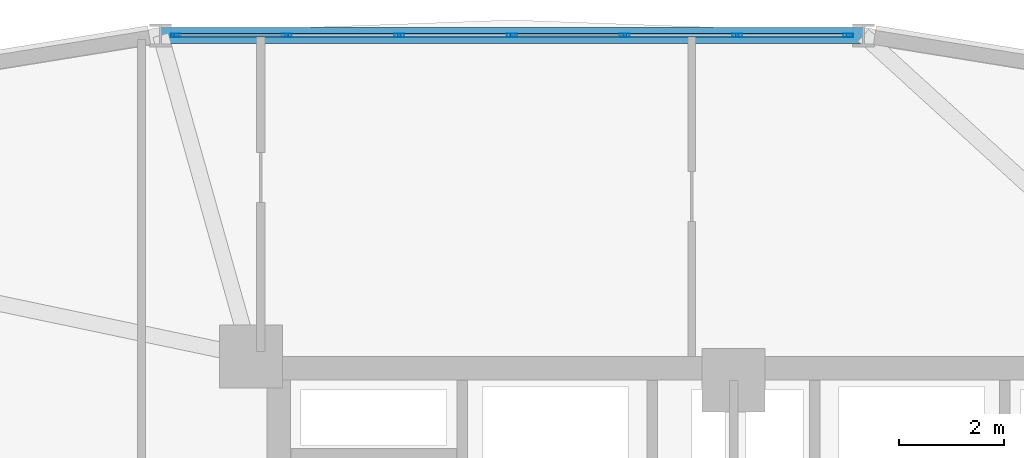
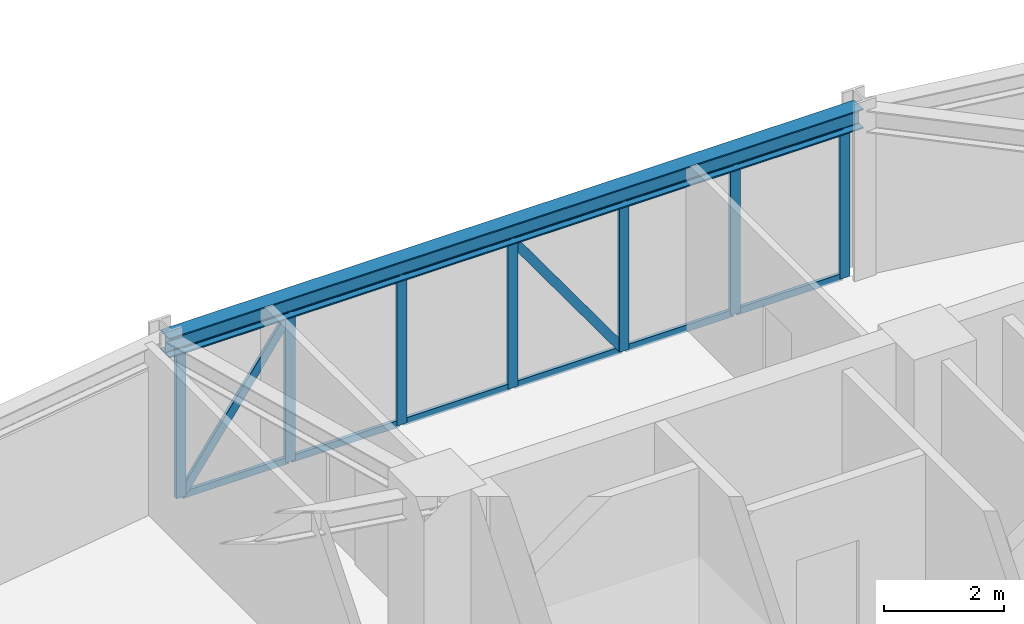
# One storey, part 10 of 18: 21 members, 1 beam, 1 element without a shape of its own.
"""IFC4 building model written with IfcOpenShell, lengths in metres."""

from ifc_helpers import new_model, si_unit, derived_unit, direction, frame, origin, origin_2d, place, context, subcontext, project, spatial, hollow_rectangle, i_section, extrude, source, transform, mapped, material, layer, layer_set, material_profile, profile_set, type_object, element, aggregate, save


model = new_model("IFC4")

# Units and contexts
model_context = context("Model", 3, precision=1e-05, world=origin(), true_north=direction((0.0, 1.0)))
body_context = subcontext(model_context, "Body", "Model", "MODEL_VIEW")
ifc_project = project(units=[si_unit("LENGTHUNIT", "METRE"), si_unit("AREAUNIT", "SQUARE_METRE"), si_unit("VOLUMEUNIT", "CUBIC_METRE"), si_unit("PLANEANGLEUNIT", "RADIAN"), si_unit("MASSUNIT", "GRAM", prefix="KILO"), derived_unit("THERMALTRANSMITTANCEUNIT", [(si_unit("POWERUNIT", "WATT"), 1), (si_unit("LENGTHUNIT", "METRE"), -2), (si_unit("THERMODYNAMICTEMPERATUREUNIT", "KELVIN"), -1)])], contexts=[model_context])

# Site, building, storey
site_placement = place(None, origin())
site = spatial("IfcSite", under=ifc_project, at=site_placement, CompositionType="ELEMENT")
building_placement = place(site_placement, origin())
building = spatial("IfcBuilding", under=site, at=building_placement, Name="Korsvarv Bourse and Concert Hall", CompositionType="ELEMENT")
storey_placement = place(building_placement, frame((0.0, 0.0, 139.800048828125)))
storey = spatial("IfcBuildingStorey", under=building, at=storey_placement, Name="L35", CompositionType="ELEMENT", Elevation=139.800048828125)

# Beam
ifc_material_1 = material(Name="Steel S355", Category="steel")
ifc_material_profile_1 = material_profile(ifc_material_1, i_section(OverallWidth=0.300048828125, OverallDepth=0.39990234375, WebThickness=0.013427734375, FlangeThickness=0.02392578125, FilletRadius=0.02099609375, at=origin_2d()), Name="HEB 400")
ifc_profile_set_1 = profile_set([ifc_material_profile_1], Name="Steel S355")
beam_type = type_object("IfcBeamType", Name="BM-HEB400", PredefinedType="SPANDREL", material=ifc_profile_set_1)
shared_shape_1 = source(origin(), body_context, "Body", "SweptSolid", [
    extrude(i_section(OverallWidth=0.300048828125, OverallDepth=0.39990234375, WebThickness=0.013427734375, FlangeThickness=0.02392578125, FilletRadius=0.02099609375, at=origin_2d()), origin(), (0.0, 0.0, 1.0), 13.327392578125),
])
beam_placement = place(storey_placement, frame((38.463623046875, 53.3369140625, 3.199951171875), z_axis=(-1.0, 0.0, 0.0), x_axis=(0.0, -1.0, 0.0)))
element("IfcBeam", 1, at=beam_placement, inside=storey, type_object=beam_type, Name="L35 beam B-09", PredefinedType="SPANDREL", context=body_context, shape_type="MappedRepresentation", body=[
    mapped(shared_shape_1, transform((0.0, 0.0, 0.0), scale=1.0)),
])

# Curtain wall, members
ifc_material_2 = material(Name="Anodised aluminium and triple low-E glazing", Category="glass")
ifc_layer = layer(ifc_material_2, 0.2099609375)
ifc_layer_set = layer_set([ifc_layer], Name="Anodised aluminium and triple low-E glazing")
curtain_wall_type = type_object("IfcCurtainWallType", Name="CW-SYS-2", PredefinedType="NOTDEFINED", material=ifc_layer_set)
curtain_wall_placement = place(storey_placement, origin())
curtain_wall = element("IfcCurtainWall", 2, at=curtain_wall_placement, inside=storey, type_object=curtain_wall_type, Name="L35 CW2 curtain wall CW-L35-F03", PredefinedType="NOTDEFINED")
ifc_material_3 = material(Name="Extruded aluminium EN AW-6063 T66", Category="aluminium")
ifc_material_profile_2 = material_profile(ifc_material_3, hollow_rectangle(XDim=0.070068359375, YDim=0.18994140625, WallThickness=0.0048828125, at=origin_2d()), Name="ALU-M 70x190")
ifc_profile_set_2 = profile_set([ifc_material_profile_2], Name="Extruded aluminium EN AW-6063 T66")
member_type_1 = type_object("IfcMemberType", Name="CWM-190", PredefinedType="MULLION", material=ifc_profile_set_2)
shared_shape_2 = source(origin(), body_context, "Body", "SweptSolid", [
    extrude(hollow_rectangle(XDim=0.070068359375, YDim=0.18994140625, WallThickness=0.0048828125, at=origin_2d()), origin(), (0.0, 0.0, 1.0), 3.0),
])
member_1_placement = place(storey_placement, frame((38.172607421875, 53.3369140625, 0.0), z_axis=(0.0, 0.0, 1.0), x_axis=(0.0, -1.0, 0.0)))
member_1 = element("IfcMember", 3, at=member_1_placement, type_object=member_type_1, Name="CW2 mullion 1", PredefinedType="MULLION", context=body_context, shape_type="MappedRepresentation", body=[
    mapped(shared_shape_2, transform((0.0, 0.0, 0.0), scale=1.0)),
])
member_2_placement = place(storey_placement, frame((36.07177734375, 53.3369140625, 0.0), z_axis=(0.0, 0.0, 1.0), x_axis=(0.0, -1.0, 0.0)))
member_2 = element("IfcMember", 4, at=member_2_placement, type_object=member_type_1, Name="CW2 mullion 2", PredefinedType="MULLION", context=body_context, shape_type="MappedRepresentation", body=[
    mapped(shared_shape_2, transform((0.0, 0.0, 0.0), scale=1.0)),
])
member_3_placement = place(storey_placement, frame((33.935791015625, 53.3369140625, 0.0), z_axis=(0.0, 0.0, 1.0), x_axis=(0.0, -1.0, 0.0)))
member_3 = element("IfcMember", 5, at=member_3_placement, type_object=member_type_1, Name="CW2 mullion 3", PredefinedType="MULLION", context=body_context, shape_type="MappedRepresentation", body=[
    mapped(shared_shape_2, transform((0.0, 0.0, 0.0), scale=1.0)),
])
member_4_placement = place(storey_placement, frame((31.800048828125, 53.3369140625, 0.0), z_axis=(0.0, 0.0, 1.0), x_axis=(0.0, -1.0, 0.0)))
member_4 = element("IfcMember", 6, at=member_4_placement, type_object=member_type_1, Name="CW2 mullion 4", PredefinedType="MULLION", context=body_context, shape_type="MappedRepresentation", body=[
    mapped(shared_shape_2, transform((0.0, 0.0, 0.0), scale=1.0)),
])
member_5_placement = place(storey_placement, frame((29.6640625, 53.3369140625, 0.0), z_axis=(0.0, 0.0, 1.0), x_axis=(0.0, -1.0, 0.0)))
member_5 = element("IfcMember", 7, at=member_5_placement, type_object=member_type_1, Name="CW2 mullion 5", PredefinedType="MULLION", context=body_context, shape_type="MappedRepresentation", body=[
    mapped(shared_shape_2, transform((0.0, 0.0, 0.0), scale=1.0)),
])
member_6_placement = place(storey_placement, frame((27.5283203125, 53.3369140625, 0.0), z_axis=(0.0, 0.0, 1.0), x_axis=(0.0, -1.0, 0.0)))
member_6 = element("IfcMember", 8, at=member_6_placement, type_object=member_type_1, Name="CW2 mullion 6", PredefinedType="MULLION", context=body_context, shape_type="MappedRepresentation", body=[
    mapped(shared_shape_2, transform((0.0, 0.0, 0.0), scale=1.0)),
])
member_7_placement = place(storey_placement, frame((25.42724609375, 53.3369140625, 0.0), z_axis=(0.0, 0.0, 1.0), x_axis=(0.0, -1.0, 0.0)))
member_7 = element("IfcMember", 9, at=member_7_placement, type_object=member_type_1, Name="CW2 mullion 7", PredefinedType="MULLION", context=body_context, shape_type="MappedRepresentation", body=[
    mapped(shared_shape_2, transform((0.0, 0.0, 0.0), scale=1.0)),
])
ifc_material_profile_3 = material_profile(ifc_material_3, hollow_rectangle(XDim=0.06494140625, YDim=0.139892578125, WallThickness=0.00390625, at=origin_2d()), Name="ALU-T 65x140")
ifc_profile_set_3 = profile_set([ifc_material_profile_3], Name="Extruded aluminium EN AW-6063 T66")
member_type_2 = type_object("IfcMemberType", Name="CWT-140", PredefinedType="USERDEFINED", material=ifc_profile_set_3)
shared_shape_3 = source(origin(), body_context, "Body", "SweptSolid", [
    extrude(hollow_rectangle(XDim=0.06494140625, YDim=0.139892578125, WallThickness=0.00390625, at=origin_2d()), origin(), (0.0, 0.0, 1.0), 2.031005859375),
])
member_8_placement = place(storey_placement, frame((38.1376953125, 53.3369140625, 0.032470703125), z_axis=(-1.0, 0.0, 0.0), x_axis=(0.0, -1.0, 0.0)))
member_8 = element("IfcMember", 10, at=member_8_placement, type_object=member_type_2, Name="CW2 transom 1.1", ObjectType="TRANSOM", PredefinedType="USERDEFINED", context=body_context, shape_type="MappedRepresentation", body=[
    mapped(shared_shape_3, transform((0.0, 0.0, 0.0), scale=1.0)),
])
member_9_placement = place(storey_placement, frame((38.1376953125, 53.3369140625, 2.967529296875), z_axis=(-1.0, 0.0, 0.0), x_axis=(0.0, -1.0, 0.0)))
member_9 = element("IfcMember", 11, at=member_9_placement, type_object=member_type_2, Name="CW2 transom 1.2", ObjectType="TRANSOM", PredefinedType="USERDEFINED", context=body_context, shape_type="MappedRepresentation", body=[
    mapped(shared_shape_3, transform((0.0, 0.0, 0.0), scale=1.0)),
])
shared_shape_4 = source(origin(), body_context, "Body", "SweptSolid", [
    extrude(hollow_rectangle(XDim=0.06494140625, YDim=0.139892578125, WallThickness=0.00390625, at=origin_2d()), origin(), (0.0, 0.0, 1.0), 2.06591796875),
])
member_10_placement = place(storey_placement, frame((36.036865234375, 53.3369140625, 0.032470703125), z_axis=(-1.0, 0.0, 0.0), x_axis=(0.0, -1.0, 0.0)))
member_10 = element("IfcMember", 12, at=member_10_placement, type_object=member_type_2, Name="CW2 transom 2.1", ObjectType="TRANSOM", PredefinedType="USERDEFINED", context=body_context, shape_type="MappedRepresentation", body=[
    mapped(shared_shape_4, transform((0.0, 0.0, 0.0), scale=1.0)),
])
member_11_placement = place(storey_placement, frame((36.036865234375, 53.3369140625, 2.967529296875), z_axis=(-1.0, 0.0, 0.0), x_axis=(0.0, -1.0, 0.0)))
member_11 = element("IfcMember", 13, at=member_11_placement, type_object=member_type_2, Name="CW2 transom 2.2", ObjectType="TRANSOM", PredefinedType="USERDEFINED", context=body_context, shape_type="MappedRepresentation", body=[
    mapped(shared_shape_4, transform((0.0, 0.0, 0.0), scale=1.0)),
])
member_12_placement = place(storey_placement, frame((33.90087890625, 53.3369140625, 0.032470703125), z_axis=(-1.0, 0.0, 0.0), x_axis=(0.0, -1.0, 0.0)))
member_12 = element("IfcMember", 14, at=member_12_placement, type_object=member_type_2, Name="CW2 transom 3.1", ObjectType="TRANSOM", PredefinedType="USERDEFINED", context=body_context, shape_type="MappedRepresentation", body=[
    mapped(shared_shape_4, transform((0.0, 0.0, 0.0), scale=1.0)),
])
member_13_placement = place(storey_placement, frame((33.90087890625, 53.3369140625, 2.967529296875), z_axis=(-1.0, 0.0, 0.0), x_axis=(0.0, -1.0, 0.0)))
member_13 = element("IfcMember", 15, at=member_13_placement, type_object=member_type_2, Name="CW2 transom 3.2", ObjectType="TRANSOM", PredefinedType="USERDEFINED", context=body_context, shape_type="MappedRepresentation", body=[
    mapped(shared_shape_4, transform((0.0, 0.0, 0.0), scale=1.0)),
])
member_14_placement = place(storey_placement, frame((29.629150390625, 53.3369140625, 0.032470703125), z_axis=(-1.0, 0.0, 0.0), x_axis=(0.0, -1.0, 0.0)))
member_14 = element("IfcMember", 16, at=member_14_placement, type_object=member_type_2, Name="CW2 transom 5.1", ObjectType="TRANSOM", PredefinedType="USERDEFINED", context=body_context, shape_type="MappedRepresentation", body=[
    mapped(shared_shape_4, transform((0.0, 0.0, 0.0), scale=1.0)),
])
member_15_placement = place(storey_placement, frame((29.629150390625, 53.3369140625, 2.967529296875), z_axis=(-1.0, 0.0, 0.0), x_axis=(0.0, -1.0, 0.0)))
member_15 = element("IfcMember", 17, at=member_15_placement, type_object=member_type_2, Name="CW2 transom 5.2", ObjectType="TRANSOM", PredefinedType="USERDEFINED", context=body_context, shape_type="MappedRepresentation", body=[
    mapped(shared_shape_4, transform((0.0, 0.0, 0.0), scale=1.0)),
])
ifc_material_profile_4 = material_profile(ifc_material_3, hollow_rectangle(XDim=0.06494140625, YDim=0.1650390625, WallThickness=0.0048828125, at=origin_2d()), Name="ALU-M 65x165")
ifc_profile_set_4 = profile_set([ifc_material_profile_4], Name="Extruded aluminium EN AW-6063 T66")
member_type_3 = type_object("IfcMemberType", Name="CWM-165", PredefinedType="MULLION", material=ifc_profile_set_4)
shared_shape_5 = source(origin(), body_context, "Body", "SweptSolid", [
    extrude(hollow_rectangle(XDim=0.06494140625, YDim=0.1650390625, WallThickness=0.0048828125, at=origin_2d()), origin(), (0.0, 0.0, 1.0), 3.536376953125),
])
member_16_placement = place(storey_placement, frame((33.90087890625, 53.3369140625, 0.06494140625), z_axis=(-0.584199236141, 0.0, 0.811610283629), x_axis=(0.0, -1.0, 0.0)))
member_16 = element("IfcMember", 18, at=member_16_placement, type_object=member_type_3, Name="CW2 diagonal mullion 3", PredefinedType="MULLION", context=body_context, shape_type="MappedRepresentation", body=[
    mapped(shared_shape_5, transform((0.0, 0.0, 0.0), scale=1.0)),
])
shared_shape_6 = source(origin(), body_context, "Body", "SweptSolid", [
    extrude(hollow_rectangle(XDim=0.06494140625, YDim=0.139892578125, WallThickness=0.00390625, at=origin_2d()), origin(), (0.0, 0.0, 1.0), 2.065673828125),
])
member_17_placement = place(storey_placement, frame((31.764892578125, 53.3369140625, 0.032470703125), z_axis=(-1.0, 0.0, 0.0), x_axis=(0.0, -1.0, 0.0)))
member_17 = element("IfcMember", 19, at=member_17_placement, type_object=member_type_2, Name="CW2 transom 4.1", ObjectType="TRANSOM", PredefinedType="USERDEFINED", context=body_context, shape_type="MappedRepresentation", body=[
    mapped(shared_shape_6, transform((0.0, 0.0, 0.0), scale=1.0)),
])
member_18_placement = place(storey_placement, frame((31.764892578125, 53.3369140625, 2.967529296875), z_axis=(-1.0, 0.0, 0.0), x_axis=(0.0, -1.0, 0.0)))
member_18 = element("IfcMember", 20, at=member_18_placement, type_object=member_type_2, Name="CW2 transom 4.2", ObjectType="TRANSOM", PredefinedType="USERDEFINED", context=body_context, shape_type="MappedRepresentation", body=[
    mapped(shared_shape_6, transform((0.0, 0.0, 0.0), scale=1.0)),
])
shared_shape_7 = source(origin(), body_context, "Body", "SweptSolid", [
    extrude(hollow_rectangle(XDim=0.06494140625, YDim=0.139892578125, WallThickness=0.00390625, at=origin_2d()), origin(), (0.0, 0.0, 1.0), 2.03076171875),
])
member_19_placement = place(storey_placement, frame((27.4931640625, 53.3369140625, 0.032470703125), z_axis=(-1.0, 0.0, 0.0), x_axis=(0.0, -1.0, 0.0)))
member_19 = element("IfcMember", 21, at=member_19_placement, type_object=member_type_2, Name="CW2 transom 6.1", ObjectType="TRANSOM", PredefinedType="USERDEFINED", context=body_context, shape_type="MappedRepresentation", body=[
    mapped(shared_shape_7, transform((0.0, 0.0, 0.0), scale=1.0)),
])
member_20_placement = place(storey_placement, frame((27.4931640625, 53.3369140625, 2.967529296875), z_axis=(-1.0, 0.0, 0.0), x_axis=(0.0, -1.0, 0.0)))
member_20 = element("IfcMember", 22, at=member_20_placement, type_object=member_type_2, Name="CW2 transom 6.2", ObjectType="TRANSOM", PredefinedType="USERDEFINED", context=body_context, shape_type="MappedRepresentation", body=[
    mapped(shared_shape_7, transform((0.0, 0.0, 0.0), scale=1.0)),
])
shared_shape_8 = source(origin(), body_context, "Body", "SweptSolid", [
    extrude(hollow_rectangle(XDim=0.06494140625, YDim=0.1650390625, WallThickness=0.0048828125, at=origin_2d()), origin(), (0.0, 0.0, 1.0), 3.515869140625),
])
member_21_placement = place(storey_placement, frame((25.46240234375, 53.3369140625, 0.06494140625), z_axis=(0.577593404085, 0.0, 0.816324604283), x_axis=(0.0, 1.0, 0.0)))
member_21 = element("IfcMember", 23, at=member_21_placement, type_object=member_type_3, Name="CW2 diagonal mullion 6", PredefinedType="MULLION", context=body_context, shape_type="MappedRepresentation", body=[
    mapped(shared_shape_8, transform((0.0, 0.0, 0.0), scale=1.0)),
])
aggregate(curtain_wall, [member_1, member_2, member_3, member_4, member_5, member_6, member_7, member_8, member_9, member_10, member_11, member_12, member_13, member_16, member_17, member_18, member_14, member_15, member_19, member_20, member_21])

save(model, "model.ifc")
